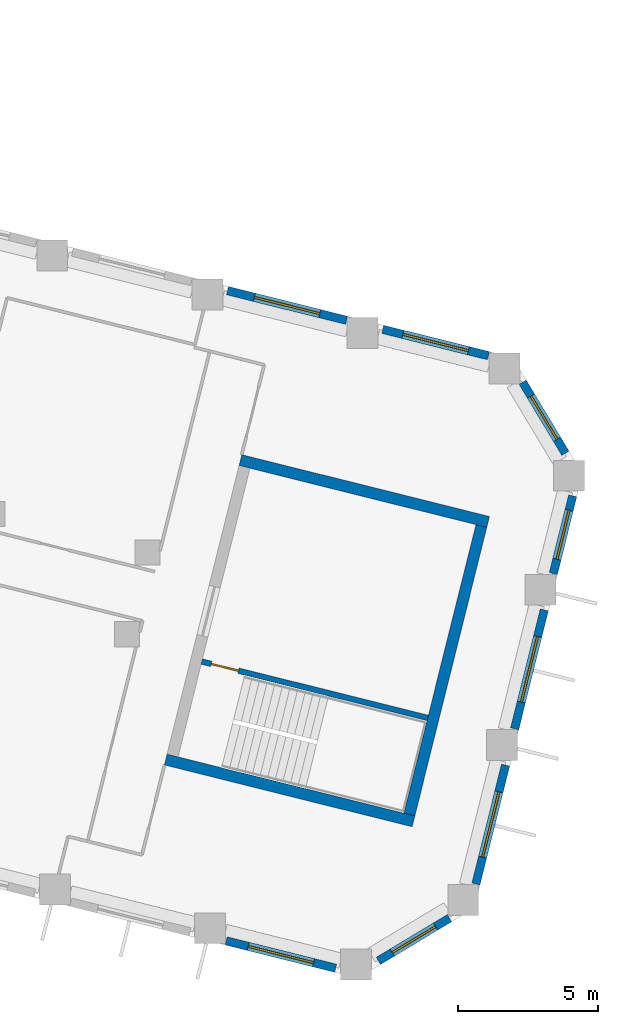
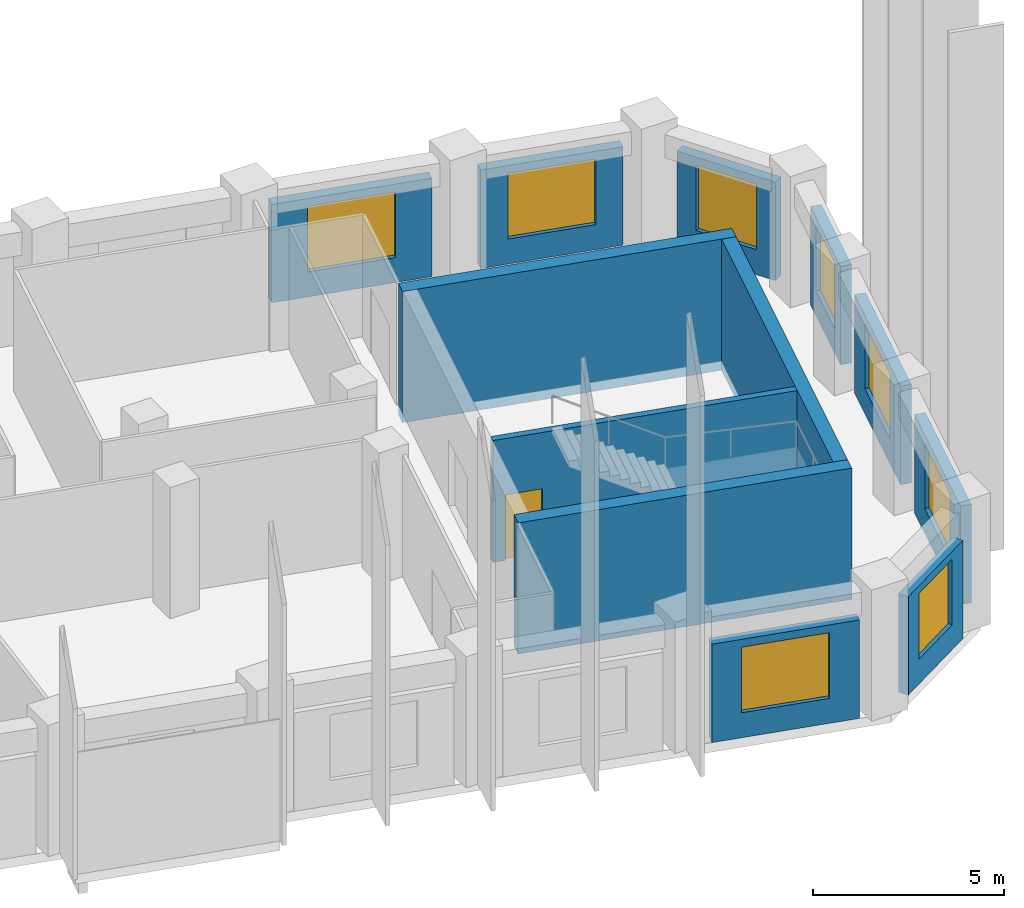
# One storey, part 7 of 10: 12 walls, 8 windows, 1 door, 9 openings.
"""IFC4 building model written with IfcOpenShell, lengths in metres."""

import ifcopenshell
import ifcopenshell.guid

model = None  # the IFC model being written
_history = None  # IfcOwnerHistory: only IFC2X3 demands one
_inside = {}  # id of a spatial element -> (the spatial element, [elements in it])
_under = {}  # id of a project, library or spatial element -> (it, [spatial elements below it])
_declared = {}  # id of a project -> (the project, [libraries it declares])
_typed = {}  # id of a type object -> (the type object, [elements of that type])
_made_of = {}  # id of a material, layer set ... -> (it, [elements and type objects made of it])


def new_model(schema):
    """Start an empty IFC model of exactly this schema.

    Asked for "IFC4X3", IfcOpenShell would pick the latest addendum, in which some entities
    have other attributes; the version numbers below select the first issue.
    IFC2X3 requires an IfcOwnerHistory on every rooted entity: one is made here for all.
    """
    global model, _history
    if schema == "IFC4X3":
        model = ifcopenshell.file(schema_version=(4, 3, 0, 0))
    else:
        model = ifcopenshell.file(schema=schema)
    _inside.clear()
    _under.clear()
    _declared.clear()
    _typed.clear()
    _made_of.clear()
    _history = None
    if model.schema == "IFC2X3":
        org = make("IfcOrganization", Name="unknown")
        user = make(
            "IfcPersonAndOrganization",
            ThePerson=make("IfcPerson", FamilyName="unknown"),
            TheOrganization=org,
        )
        app = make(
            "IfcApplication",
            ApplicationDeveloper=org,
            Version="unknown",
            ApplicationFullName="unknown",
            ApplicationIdentifier="unknown",
        )
        _history = make(
            "IfcOwnerHistory",
            OwningUser=user,
            OwningApplication=app,
            ChangeAction="ADDED",
            CreationDate=0,
        )
    return model


def make(cls, **values):
    """One entity of the class cls with the attributes given. An attribute that is None is left unset."""
    return model.create_entity(
        cls, **{name: value for name, value in values.items() if value is not None}
    )


def rooted(cls, **values):
    """An entity with a GlobalId (a new one), such as an element, a storey or a relation."""
    return make(cls, GlobalId=ifcopenshell.guid.new(), OwnerHistory=_history, **values)


def si_unit(unit_type, name, prefix=None):
    """IfcSIUnit, for example si_unit("LENGTHUNIT", "METRE", prefix="MILLI")."""
    return make("IfcSIUnit", UnitType=unit_type, Prefix=prefix, Name=name)


def assignment(units):
    """IfcUnitAssignment: the units of a project."""
    return None if units is None else make("IfcUnitAssignment", Units=units)


def point(xyz):
    """IfcCartesianPoint."""
    return None if xyz is None else make("IfcCartesianPoint", Coordinates=xyz)


def direction(xyz):
    """IfcDirection."""
    return None if xyz is None else make("IfcDirection", DirectionRatios=xyz)


def frame(location, z_axis=None, x_axis=None):
    """IfcAxis2Placement3D, a coordinate frame: its origin and axes. An axis left out is left unset."""
    return make(
        "IfcAxis2Placement3D",
        Location=point(location),
        Axis=direction(z_axis),
        RefDirection=direction(x_axis),
    )


def frame_2d(location, x_axis=None):
    """IfcAxis2Placement2D, a coordinate frame in the plane: its origin and x axis."""
    return make(
        "IfcAxis2Placement2D", Location=point(location), RefDirection=direction(x_axis)
    )


def origin():
    """The frame at (0, 0, 0) with its axes left unset."""
    return frame((0.0, 0.0, 0.0))


def place(relative_to, where):
    """IfcLocalPlacement: puts the frame where relative to a parent placement (None: the world)."""
    return make(
        "IfcLocalPlacement", PlacementRelTo=relative_to, RelativePlacement=where
    )


def context(
    kind, dimensions, precision=None, world=None, true_north=None, identifier=None
):
    """IfcGeometricRepresentationContext, for example the 3D "Model" context."""
    return make(
        "IfcGeometricRepresentationContext",
        ContextIdentifier=identifier,
        ContextType=kind,
        CoordinateSpaceDimension=dimensions,
        Precision=precision,
        WorldCoordinateSystem=world,
        TrueNorth=true_north,
    )


def subcontext(parent, identifier, kind, view, scale=None):
    """IfcGeometricRepresentationSubContext, for example "Body" below "Model"."""
    return make(
        "IfcGeometricRepresentationSubContext",
        ContextIdentifier=identifier,
        ContextType=kind,
        ParentContext=parent,
        TargetScale=scale,
        TargetView=view,
    )


def project(units=None, contexts=None):
    """IfcProject with its units and contexts."""
    return rooted(
        "IfcProject",
        Name="project",
        RepresentationContexts=contexts,
        UnitsInContext=assignment(units),
    )


def spatial(cls, under=None, at=None, **own):
    """A site, building, storey or space (cls), placed at a placement, below another one or the project."""
    s = rooted(cls, ObjectPlacement=at, **own)
    if under is not None:
        _under.setdefault(under.id(), (under, []))[1].append(s)
    return s


def profile(cls, at=None, kind="AREA", **sizes):
    """A parametric profile (cls). Its sizes go by their IFC names, for example OverallWidth=200.0."""
    return make(cls, ProfileType=kind, Position=at, **sizes)


def rectangle(**sizes):
    """IfcRectangleProfileDef."""
    return profile("IfcRectangleProfileDef", **sizes)


def extrude(swept, where, along, depth):
    """IfcExtrudedAreaSolid: the profile swept, set in the frame where, extruded along a direction by depth."""
    return make(
        "IfcExtrudedAreaSolid",
        SweptArea=swept,
        Position=where,
        ExtrudedDirection=direction(along),
        Depth=depth,
    )


def shape(context_of_items, identifier, shape_type, items):
    """IfcShapeRepresentation: the items that make up one representation, for example the "Body"."""
    return make(
        "IfcShapeRepresentation",
        ContextOfItems=context_of_items,
        RepresentationIdentifier=identifier,
        RepresentationType=shape_type,
        Items=items,
    )


def material(Name=None, Category=None):
    """IfcMaterial."""
    return make("IfcMaterial", Name=Name, Category=Category)


def layer(
    of_material, thickness, ventilated=None, Name=None, Category=None, Priority=None
):
    """IfcMaterialLayer: one layer of a wall or slab, of a material (None: an air gap)."""
    return make(
        "IfcMaterialLayer",
        Material=of_material,
        LayerThickness=thickness,
        IsVentilated=ventilated,
        Name=Name,
        Category=Category,
        Priority=Priority,
    )


def layer_set(layers, Name=None):
    """IfcMaterialLayerSet."""
    return make("IfcMaterialLayerSet", MaterialLayers=layers, LayerSetName=Name)


def made_of(thing, what):
    """Note that an element or type object is made of a material, layer set ...; save() writes the relation."""
    if what is not None:
        _made_of.setdefault(what.id(), (what, []))[1].append(thing)
    return thing


def type_object(cls, material=None, **own):
    """A type object (cls), such as IfcWallType, which elements share."""
    return made_of(rooted(cls, **own), material)


def element(
    cls,
    number,
    at=None,
    inside=None,
    cuts=None,
    type_object=None,
    material=None,
    context=None,
    identifier="Body",
    shape_type=None,
    held_by="IfcProductDefinitionShape",
    body=None,
    shapes=None,
    **own,
):
    """One element of the class cls, such as IfcWall. Its Tag is "e" and its number.

    at: its placement. inside: the storey or other place that contains it. cuts: it is an
    opening in that element (IfcRelVoidsElement). A single representation is given by context,
    identifier, shape_type and body (its items); several are given by shapes. held_by: the class
    of the entity that holds the representations. save() writes the other relations.
    """
    e = rooted(cls, Tag="e%d" % number, ObjectPlacement=at, **own)
    if body is not None:
        shapes = [shape(context, identifier, shape_type, body)]
    if shapes is not None:
        e.Representation = make(held_by, Representations=shapes)
    if inside is not None:
        _inside.setdefault(inside.id(), (inside, []))[1].append(e)
    if cuts is not None:
        rooted(
            "IfcRelVoidsElement", RelatingBuildingElement=cuts, RelatedOpeningElement=e
        )
    if type_object is not None:
        _typed.setdefault(type_object.id(), (type_object, []))[1].append(e)
    return made_of(e, material)


def fill(opening, filler):
    """IfcRelFillsElement: the door or window that sits in an opening."""
    return rooted(
        "IfcRelFillsElement",
        RelatingOpeningElement=opening,
        RelatedBuildingElement=filler,
    )


def aggregate(whole, parts):
    """IfcRelAggregates: a whole, such as a stair, and the parts it consists of."""
    return rooted("IfcRelAggregates", RelatingObject=whole, RelatedObjects=parts)


def save(model, path):
    """Write the relations noted so far, then the file.

    IfcRelAggregates (storeys below a building ...), IfcRelContainedInSpatialStructure (elements
    in a storey), IfcRelDefinesByType, IfcRelAssociatesMaterial and IfcRelDeclares: one each for
    every whole, place, type object, material and project.
    """
    for whole, parts in _under.values():
        aggregate(whole, parts)
    for where, things in _inside.values():
        rooted(
            "IfcRelContainedInSpatialStructure",
            RelatedElements=things,
            RelatingStructure=where,
        )
    for kind, things in _typed.values():
        rooted("IfcRelDefinesByType", RelatedObjects=things, RelatingType=kind)
    for what, things in _made_of.values():
        rooted("IfcRelAssociatesMaterial", RelatedObjects=things, RelatingMaterial=what)
    for by, libraries in _declared.values():
        rooted("IfcRelDeclares", RelatingContext=by, RelatedDefinitions=libraries)
    model.write(path)


model = new_model("IFC4")

# Units and contexts
model_context = context("Model", 3, precision=1e-05, world=origin(), true_north=direction((0.0, 1.0)))
body_context = subcontext(model_context, "Body", "Model", "MODEL_VIEW")
ifc_project = project(units=[si_unit("LENGTHUNIT", "METRE"), si_unit("AREAUNIT", "SQUARE_METRE"), si_unit("VOLUMEUNIT", "CUBIC_METRE"), si_unit("PLANEANGLEUNIT", "RADIAN"), si_unit("MASSUNIT", "GRAM", prefix="KILO")], contexts=[model_context])

# Site, building, storey
site_placement = place(None, origin())
site = spatial("IfcSite", under=ifc_project, at=site_placement, CompositionType="ELEMENT")
building_placement = place(site_placement, origin())
building = spatial("IfcBuilding", under=site, at=building_placement, Name="Meshkara Civic Tower", CompositionType="ELEMENT")
storey_placement = place(building_placement, frame((0.0, 0.0, 225.60009765625)))
storey = spatial("IfcBuildingStorey", under=building, at=storey_placement, Name="L51", CompositionType="ELEMENT", Elevation=225.60009765625)

# Wall, opening, window
ifc_material_1 = material(Name="Insulated infill panel with bronze anodised aluminium cladding", Category="aluminium")
ifc_layer_1 = layer(ifc_material_1, 0.300048828125)
ifc_layer_set_1 = layer_set([ifc_layer_1], Name="EXTERNAL INFILL WALL 300")
wall_type_1 = type_object("IfcWallType", Name="EXTERNAL INFILL WALL 300", PredefinedType="SOLIDWALL", material=ifc_layer_set_1)
wall_1_placement = place(storey_placement, frame((71.02001953125, 5.635986328125, 0.0), z_axis=(0.0, 0.0, 1.0), x_axis=(-0.970297701374, 0.241913973777, 0.0)))
wall_1 = element("IfcWall", 1, at=wall_1_placement, inside=storey, type_object=wall_type_1, Name="External wall", PredefinedType="SOLIDWALL", context=body_context, shape_type="SweptSolid", body=[
    extrude(rectangle(XDim=3.88134765625, YDim=0.300048828125, at=frame_2d((1.940673828125, 0.0))), origin(), (0.0, 0.0, 1.0), 3.14990234375),
])
opening_1_placement = place(wall_1_placement, frame((0.740966796875, 0.0, 0.800048828125)))
opening_1 = element("IfcOpeningElement", 2, at=opening_1_placement, cuts=wall_1, Name="Opening W7", PredefinedType="OPENING", context=body_context, shape_type="SweptSolid", body=[
    extrude(rectangle(XDim=2.39990234375, YDim=2.10009765625, at=frame_2d((1.199951171875, 1.050048828125))), frame((0.0, 0.159912109375, 0.0), z_axis=(0.0, -1.0, 0.0), x_axis=(1.0, 0.0, 0.0)), (0.0, 0.0, 1.0), 0.320068359375),
])
ifc_material_2 = material(Name="Tinted double glazing", Category="glass")
window_type_1 = type_object("IfcWindowType", Name="WINDOW 2400x2100", PartitioningType="DOUBLE_PANEL_VERTICAL", PredefinedType="WINDOW", material=ifc_material_2)
window_1_placement = place(opening_1_placement, origin())
window_1 = element("IfcWindow", 3, at=window_1_placement, inside=storey, type_object=window_type_1, Name="Window", OverallHeight=2.10009765625, OverallWidth=2.39990234375, PartitioningType="DOUBLE_PANEL_VERTICAL", PredefinedType="WINDOW", context=body_context, shape_type="SweptSolid", body=[
    extrude(rectangle(XDim=2.39990234375, YDim=2.10009765625, at=frame_2d((1.199951171875, 1.050048828125))), frame((0.0, 0.030029296875, 0.0), z_axis=(0.0, -1.0, 0.0), x_axis=(1.0, 0.0, 0.0)), (0.0, 0.0, 1.0), 0.06005859375),
])
fill(opening_1, window_1)

wall_2_placement = place(storey_placement, frame((65.9599609375, 6.89794921875, 0.0), z_axis=(0.0, 0.0, 1.0), x_axis=(-0.970309996763, 0.241864652607, 0.0)))
wall_2 = element("IfcWall", 4, at=wall_2_placement, inside=storey, type_object=wall_type_1, Name="External wall", PredefinedType="SOLIDWALL", context=body_context, shape_type="SweptSolid", body=[
    extrude(rectangle(XDim=4.36669921875, YDim=0.300048828125, at=frame_2d((2.183349609375, 0.0))), origin(), (0.0, 0.0, 1.0), 3.14990234375),
])
opening_2_placement = place(wall_2_placement, frame((0.98291015625, 0.0, 0.800048828125)))
opening_2 = element("IfcOpeningElement", 5, at=opening_2_placement, cuts=wall_2, Name="Opening W7", PredefinedType="OPENING", context=body_context, shape_type="SweptSolid", body=[
    extrude(rectangle(XDim=2.39990234375, YDim=2.10009765625, at=frame_2d((1.199951171875, 1.050048828125))), frame((0.0, 0.159912109375, 0.0), z_axis=(0.0, -1.0, 0.0), x_axis=(1.0, 0.0, 0.0)), (0.0, 0.0, 1.0), 0.320068359375),
])
window_2_placement = place(opening_2_placement, origin())
window_2 = element("IfcWindow", 6, at=window_2_placement, inside=storey, type_object=window_type_1, Name="Window", OverallHeight=2.10009765625, OverallWidth=2.39990234375, PartitioningType="DOUBLE_PANEL_VERTICAL", PredefinedType="WINDOW", context=body_context, shape_type="SweptSolid", body=[
    extrude(rectangle(XDim=2.39990234375, YDim=2.10009765625, at=frame_2d((1.199951171875, 1.050048828125))), frame((0.0, 0.030029296875, 0.0), z_axis=(0.0, -1.0, 0.0), x_axis=(1.0, 0.0, 0.0)), (0.0, 0.0, 1.0), 0.06005859375),
])
fill(opening_2, window_2)

wall_3_placement = place(storey_placement, frame((61.6708984375, -15.220947265625, 0.0), z_axis=(0.0, 0.0, 1.0), x_axis=(0.97026726112, -0.242036034503, 0.0)))
wall_3 = element("IfcWall", 7, at=wall_3_placement, inside=storey, type_object=wall_type_1, Name="External wall", PredefinedType="SOLIDWALL", context=body_context, shape_type="SweptSolid", body=[
    extrude(rectangle(XDim=4.024658203125, YDim=0.300048828125, at=frame_2d((2.01220703125, 0.0))), origin(), (0.0, 0.0, 1.0), 3.14990234375),
])
opening_3_placement = place(wall_3_placement, frame((0.81201171875, 0.0, 0.800048828125)))
opening_3 = element("IfcOpeningElement", 8, at=opening_3_placement, cuts=wall_3, Name="Opening W7", PredefinedType="OPENING", context=body_context, shape_type="SweptSolid", body=[
    extrude(rectangle(XDim=2.39990234375, YDim=2.10009765625, at=frame_2d((1.199951171875, 1.050048828125))), frame((0.0, 0.159912109375, 0.0), z_axis=(0.0, -1.0, 0.0), x_axis=(1.0, 0.0, 0.0)), (0.0, 0.0, 1.0), 0.320068359375),
])
window_3_placement = place(opening_3_placement, origin())
window_3 = element("IfcWindow", 9, at=window_3_placement, inside=storey, type_object=window_type_1, Name="Window", OverallHeight=2.10009765625, OverallWidth=2.39990234375, PartitioningType="DOUBLE_PANEL_VERTICAL", PredefinedType="WINDOW", context=body_context, shape_type="SweptSolid", body=[
    extrude(rectangle(XDim=2.39990234375, YDim=2.10009765625, at=frame_2d((1.199951171875, 1.050048828125))), frame((0.0, 0.030029296875, 0.0), z_axis=(0.0, -1.0, 0.0), x_axis=(1.0, 0.0, 0.0)), (0.0, 0.0, 1.0), 0.06005859375),
])
fill(opening_3, window_3)

wall_4_placement = place(storey_placement, frame((67.097900390625, -15.93408203125, 0.0), z_axis=(0.0, 0.0, 1.0), x_axis=(0.857077006791, 0.515188319384, 0.0)))
wall_4 = element("IfcWall", 10, at=wall_4_placement, inside=storey, type_object=wall_type_1, Name="External wall", PredefinedType="SOLIDWALL", context=body_context, shape_type="SweptSolid", body=[
    extrude(rectangle(XDim=2.9541015625, YDim=0.300048828125, at=frame_2d((1.47705078125, 0.0))), origin(), (0.0, 0.0, 1.0), 3.14990234375),
])
opening_4_placement = place(wall_4_placement, frame((0.576904296875, 0.0, 0.800048828125)))
opening_4 = element("IfcOpeningElement", 11, at=opening_4_placement, cuts=wall_4, Name="Opening W9", PredefinedType="OPENING", context=body_context, shape_type="SweptSolid", body=[
    extrude(rectangle(XDim=1.800048828125, YDim=2.10009765625, at=frame_2d((0.89990234375, 1.050048828125))), frame((0.0, 0.159912109375, 0.0), z_axis=(0.0, -1.0, 0.0), x_axis=(1.0, 0.0, 0.0)), (0.0, 0.0, 1.0), 0.320068359375),
])
ifc_material_3 = material(Name="Tinted double glazing", Category="glass")
window_type_2 = type_object("IfcWindowType", Name="WINDOW 1800x2100", PartitioningType="DOUBLE_PANEL_VERTICAL", PredefinedType="WINDOW", material=ifc_material_3)
window_4_placement = place(opening_4_placement, origin())
window_4 = element("IfcWindow", 12, at=window_4_placement, inside=storey, type_object=window_type_2, Name="Window", OverallHeight=2.10009765625, OverallWidth=1.800048828125, PartitioningType="DOUBLE_PANEL_VERTICAL", PredefinedType="WINDOW", context=body_context, shape_type="SweptSolid", body=[
    extrude(rectangle(XDim=1.800048828125, YDim=2.10009765625, at=frame_2d((0.89990234375, 1.050048828125))), frame((0.0, 0.030029296875, 0.0), z_axis=(0.0, -1.0, 0.0), x_axis=(1.0, 0.0, 0.0)), (0.0, 0.0, 1.0), 0.06005859375),
])
fill(opening_4, window_4)

wall_5_placement = place(storey_placement, frame((70.574951171875, -13.19189453125, 0.0), z_axis=(0.0, 0.0, 1.0), x_axis=(0.241877774353, 0.970306725873, 0.0)))
wall_5 = element("IfcWall", 13, at=wall_5_placement, inside=storey, type_object=wall_type_1, Name="External wall", PredefinedType="SOLIDWALL", context=body_context, shape_type="SweptSolid", body=[
    extrude(rectangle(XDim=4.366455078125, YDim=0.300048828125, at=frame_2d((2.18310546875, 0.0))), origin(), (0.0, 0.0, 1.0), 3.14990234375),
])
opening_5_placement = place(wall_5_placement, frame((0.98291015625, 0.0, 0.800048828125)))
opening_5 = element("IfcOpeningElement", 14, at=opening_5_placement, cuts=wall_5, Name="Opening W7", PredefinedType="OPENING", context=body_context, shape_type="SweptSolid", body=[
    extrude(rectangle(XDim=2.39990234375, YDim=2.10009765625, at=frame_2d((1.199951171875, 1.050048828125))), frame((0.0, 0.159912109375, 0.0), z_axis=(0.0, -1.0, 0.0), x_axis=(1.0, 0.0, 0.0)), (0.0, 0.0, 1.0), 0.320068359375),
])
window_5_placement = place(opening_5_placement, origin())
window_5 = element("IfcWindow", 15, at=window_5_placement, inside=storey, type_object=window_type_1, Name="Window", OverallHeight=2.10009765625, OverallWidth=2.39990234375, PartitioningType="DOUBLE_PANEL_VERTICAL", PredefinedType="WINDOW", context=body_context, shape_type="SweptSolid", body=[
    extrude(rectangle(XDim=2.39990234375, YDim=2.10009765625, at=frame_2d((1.199951171875, 1.050048828125))), frame((0.0, 0.030029296875, 0.0), z_axis=(0.0, -1.0, 0.0), x_axis=(1.0, 0.0, 0.0)), (0.0, 0.0, 1.0), 0.06005859375),
])
fill(opening_5, window_5)

wall_6_placement = place(storey_placement, frame((71.9541015625, -7.660888671875, 0.0), z_axis=(0.0, 0.0, 1.0), x_axis=(0.241877622649, 0.97030676369, 0.0)))
wall_6 = element("IfcWall", 16, at=wall_6_placement, inside=storey, type_object=wall_type_1, Name="External wall", PredefinedType="SOLIDWALL", context=body_context, shape_type="SweptSolid", body=[
    extrude(rectangle(XDim=4.365478515625, YDim=0.300048828125, at=frame_2d((2.1826171875, 0.0))), origin(), (0.0, 0.0, 1.0), 3.14990234375),
])
opening_6_placement = place(wall_6_placement, frame((0.98291015625, 0.0, 0.800048828125)))
opening_6 = element("IfcOpeningElement", 17, at=opening_6_placement, cuts=wall_6, Name="Opening W7", PredefinedType="OPENING", context=body_context, shape_type="SweptSolid", body=[
    extrude(rectangle(XDim=2.39990234375, YDim=2.10009765625, at=frame_2d((1.199951171875, 1.050048828125))), frame((0.0, 0.159912109375, 0.0), z_axis=(0.0, -1.0, 0.0), x_axis=(1.0, 0.0, 0.0)), (0.0, 0.0, 1.0), 0.320068359375),
])
window_6_placement = place(opening_6_placement, origin())
window_6 = element("IfcWindow", 18, at=window_6_placement, inside=storey, type_object=window_type_1, Name="Window", OverallHeight=2.10009765625, OverallWidth=2.39990234375, PartitioningType="DOUBLE_PANEL_VERTICAL", PredefinedType="WINDOW", context=body_context, shape_type="SweptSolid", body=[
    extrude(rectangle(XDim=2.39990234375, YDim=2.10009765625, at=frame_2d((1.199951171875, 1.050048828125))), frame((0.0, 0.030029296875, 0.0), z_axis=(0.0, -1.0, 0.0), x_axis=(1.0, 0.0, 0.0)), (0.0, 0.0, 1.0), 0.06005859375),
])
fill(opening_6, window_6)

wall_7_placement = place(storey_placement, frame((73.3330078125, -2.131103515625, 0.0), z_axis=(0.0, 0.0, 1.0), x_axis=(0.241770612026, 0.970333432981, 0.0)))
wall_7 = element("IfcWall", 19, at=wall_7_placement, inside=storey, type_object=wall_type_1, Name="External wall", PredefinedType="SOLIDWALL", context=body_context, shape_type="SweptSolid", body=[
    extrude(rectangle(XDim=2.853759765625, YDim=0.300048828125, at=frame_2d((1.4267578125, 0.0))), origin(), (0.0, 0.0, 1.0), 3.14990234375),
])
opening_7_placement = place(wall_7_placement, frame((0.527099609375, 0.0, 0.800048828125)))
opening_7 = element("IfcOpeningElement", 20, at=opening_7_placement, cuts=wall_7, Name="Opening W9", PredefinedType="OPENING", context=body_context, shape_type="SweptSolid", body=[
    extrude(rectangle(XDim=1.800048828125, YDim=2.10009765625, at=frame_2d((0.89990234375, 1.050048828125))), frame((0.0, 0.159912109375, 0.0), z_axis=(0.0, -1.0, 0.0), x_axis=(1.0, 0.0, 0.0)), (0.0, 0.0, 1.0), 0.320068359375),
])
window_7_placement = place(opening_7_placement, origin())
window_7 = element("IfcWindow", 21, at=window_7_placement, inside=storey, type_object=window_type_2, Name="Window", OverallHeight=2.10009765625, OverallWidth=1.800048828125, PartitioningType="DOUBLE_PANEL_VERTICAL", PredefinedType="WINDOW", context=body_context, shape_type="SweptSolid", body=[
    extrude(rectangle(XDim=1.800048828125, YDim=2.10009765625, at=frame_2d((0.89990234375, 1.050048828125))), frame((0.0, 0.030029296875, 0.0), z_axis=(0.0, -1.0, 0.0), x_axis=(1.0, 0.0, 0.0)), (0.0, 0.0, 1.0), 0.06005859375),
])
fill(opening_7, window_7)

wall_8_placement = place(storey_placement, frame((73.761962890625, 2.159912109375, 0.0), z_axis=(0.0, 0.0, 1.0), x_axis=(-0.515334317037, 0.856989230786, 0.0)))
wall_8 = element("IfcWall", 22, at=wall_8_placement, inside=storey, type_object=wall_type_1, Name="External wall", PredefinedType="SOLIDWALL", context=body_context, shape_type="SweptSolid", body=[
    extrude(rectangle(XDim=2.953369140625, YDim=0.300048828125, at=frame_2d((1.4765625, 0.0))), origin(), (0.0, 0.0, 1.0), 3.14990234375),
])
opening_8_placement = place(wall_8_placement, frame((0.576904296875, 0.0, 0.800048828125)))
opening_8 = element("IfcOpeningElement", 23, at=opening_8_placement, cuts=wall_8, Name="Opening W9", PredefinedType="OPENING", context=body_context, shape_type="SweptSolid", body=[
    extrude(rectangle(XDim=1.800048828125, YDim=2.10009765625, at=frame_2d((0.89990234375, 1.050048828125))), frame((0.0, 0.159912109375, 0.0), z_axis=(0.0, -1.0, 0.0), x_axis=(1.0, 0.0, 0.0)), (0.0, 0.0, 1.0), 0.320068359375),
])
window_8_placement = place(opening_8_placement, origin())
window_8 = element("IfcWindow", 24, at=window_8_placement, inside=storey, type_object=window_type_2, Name="Window", OverallHeight=2.10009765625, OverallWidth=1.800048828125, PartitioningType="DOUBLE_PANEL_VERTICAL", PredefinedType="WINDOW", context=body_context, shape_type="SweptSolid", body=[
    extrude(rectangle(XDim=1.800048828125, YDim=2.10009765625, at=frame_2d((0.89990234375, 1.050048828125))), frame((0.0, 0.030029296875, 0.0), z_axis=(0.0, -1.0, 0.0), x_axis=(1.0, 0.0, 0.0)), (0.0, 0.0, 1.0), 0.06005859375),
])
fill(opening_8, window_8)

# Walls
ifc_material_4 = material(Name="Concrete C60", Category="concrete")
ifc_layer_2 = layer(ifc_material_4, 0.39990234375)
ifc_layer_set_2 = layer_set([ifc_layer_2], Name="End core ring wall 400 C60")
wall_type_2 = type_object("IfcWallType", Name="End core ring wall 400 C60", PredefinedType="SHEAR", material=ifc_layer_set_2)
wall_9_placement = place(storey_placement, frame((59.51904296875, -8.759033203125, -0.300048828125), z_axis=(0.0, 0.0, 1.0), x_axis=(0.970287509026, -0.241954850805, 0.0)))
element("IfcWall", 25, at=wall_9_placement, inside=storey, type_object=wall_type_2, Name="L51-C028", PredefinedType="SHEAR", context=body_context, shape_type="SweptSolid", body=[
    extrude(rectangle(XDim=9.1005859375, YDim=0.39990234375, at=frame_2d((4.55029296875, 0.0))), origin(), (0.0, 0.0, 1.0), 4.199951171875),
])
wall_10_placement = place(storey_placement, frame((62.179931640625, 1.9140625, -0.300048828125), z_axis=(0.0, 0.0, 1.0), x_axis=(0.970306400786, -0.241879078453, 0.0)))
element("IfcWall", 26, at=wall_10_placement, inside=storey, type_object=wall_type_2, Name="L51-C029", PredefinedType="SHEAR", context=body_context, shape_type="SweptSolid", body=[
    extrude(rectangle(XDim=9.100341796875, YDim=0.39990234375, at=frame_2d((4.55029296875, 0.0))), origin(), (0.0, 0.0, 1.0), 4.199951171875),
])
wall_11_placement = place(storey_placement, frame((68.202880859375, -10.718017578125, -0.300048828125), z_axis=(0.0, 0.0, 1.0), x_axis=(0.241912337509, 0.970298109326, 0.0)))
element("IfcWall", 27, at=wall_11_placement, inside=storey, type_object=wall_type_2, Name="L51-C031", PredefinedType="SHEAR", context=body_context, shape_type="SweptSolid", body=[
    extrude(rectangle(XDim=10.599853515625, YDim=0.39990234375, at=frame_2d((5.2998046875, 0.0))), origin(), (0.0, 0.0, 1.0), 4.199951171875),
])

# Wall, opening, door
ifc_material_5 = material(Name="Concrete C40/50", Category="concrete")
ifc_layer_3 = layer(ifc_material_5, 0.199951171875)
ifc_layer_set_3 = layer_set([ifc_layer_3], Name="Stair enclosure wall 200 C40/50")
wall_type_3 = type_object("IfcWallType", Name="Stair enclosure wall 200 C40/50", PredefinedType="SOLIDWALL", material=ifc_layer_set_3)
wall_12_placement = place(storey_placement, frame((60.802001953125, -5.26611328125, 0.0), z_axis=(0.0, 0.0, 1.0), x_axis=(0.970303192681, -0.241891947516, 0.0)))
wall_12 = element("IfcWall", 28, at=wall_12_placement, inside=storey, type_object=wall_type_3, Name="L51-C032", PredefinedType="SOLIDWALL", context=body_context, shape_type="SweptSolid", body=[
    extrude(rectangle(XDim=8.300537109375, YDim=0.199951171875, at=frame_2d((4.150390625, 0.0))), origin(), (0.0, 0.0, 1.0), 3.89990234375),
])
opening_9_placement = place(wall_12_placement, frame((0.35009765625, 0.0, 0.0)))
opening_9 = element("IfcOpeningElement", 29, at=opening_9_placement, cuts=wall_12, Name="Opening L51-K201", PredefinedType="OPENING", context=body_context, shape_type="SweptSolid", body=[
    extrude(rectangle(XDim=1.0, YDim=2.10009765625, at=frame_2d((0.5, 1.050048828125))), frame((0.0, 0.10986328125, 0.0), z_axis=(0.0, -1.0, 0.0), x_axis=(1.0, 0.0, 0.0)), (0.0, 0.0, 1.0), 0.219970703125),
])
ifc_material_6 = material(Name="Fire-rated door leaf in steel frame", Category="steel")
door_type = type_object("IfcDoorType", Name="Stair door 1000 EI 120", OperationType="SINGLE_SWING_LEFT", PredefinedType="DOOR", material=ifc_material_6)
door_placement = place(opening_9_placement, origin())
door = element("IfcDoor", 30, at=door_placement, inside=storey, type_object=door_type, Name="L51-K201", OperationType="SINGLE_SWING_LEFT", OverallHeight=2.10009765625, OverallWidth=1.0, PredefinedType="DOOR", context=body_context, shape_type="SweptSolid", body=[
    extrude(rectangle(XDim=1.0, YDim=2.10009765625, at=frame_2d((0.5, 1.050048828125))), frame((0.0, 0.02490234375, 0.0), z_axis=(0.0, -1.0, 0.0), x_axis=(1.0, 0.0, 0.0)), (0.0, 0.0, 1.0), 0.050048828125),
])
fill(opening_9, door)

save(model, "model.ifc")
